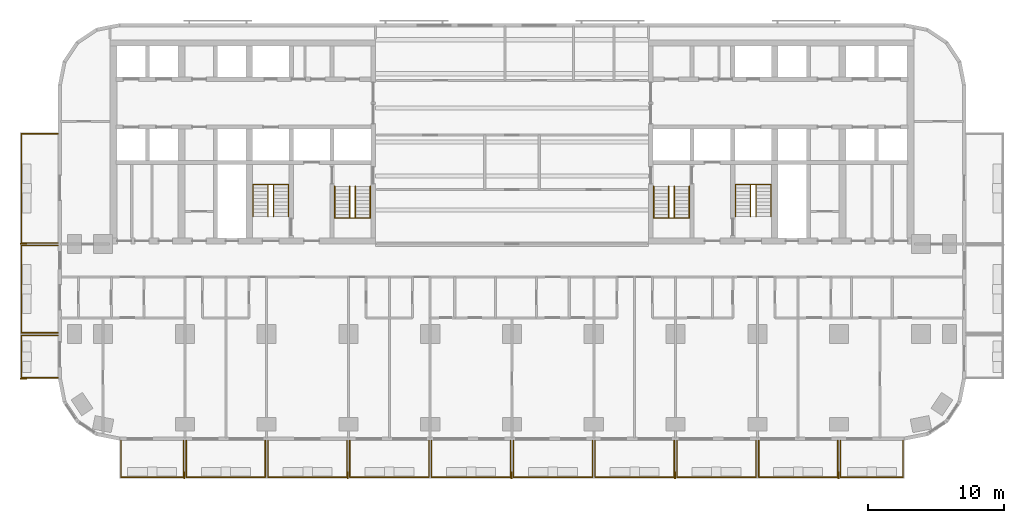
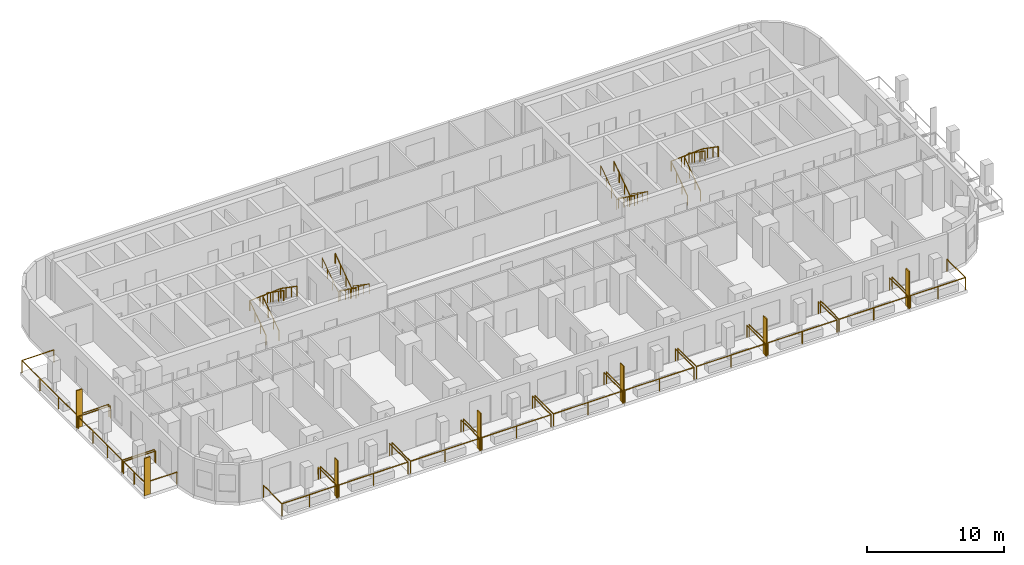
# One storey, part 13 of 15: 21 railings, 7 shading devices.
"""IFC4 building model written with IfcOpenShell, lengths in metres."""

import ifcopenshell
import ifcopenshell.guid

model = None  # the IFC model being written
_history = None  # IfcOwnerHistory: only IFC2X3 demands one
_inside = {}  # id of a spatial element -> (the spatial element, [elements in it])
_under = {}  # id of a project, library or spatial element -> (it, [spatial elements below it])
_declared = {}  # id of a project -> (the project, [libraries it declares])
_typed = {}  # id of a type object -> (the type object, [elements of that type])
_made_of = {}  # id of a material, layer set ... -> (it, [elements and type objects made of it])


def new_model(schema):
    """Start an empty IFC model of exactly this schema.

    Asked for "IFC4X3", IfcOpenShell would pick the latest addendum, in which some entities
    have other attributes; the version numbers below select the first issue.
    IFC2X3 requires an IfcOwnerHistory on every rooted entity: one is made here for all.
    """
    global model, _history
    if schema == "IFC4X3":
        model = ifcopenshell.file(schema_version=(4, 3, 0, 0))
    else:
        model = ifcopenshell.file(schema=schema)
    _inside.clear()
    _under.clear()
    _declared.clear()
    _typed.clear()
    _made_of.clear()
    _history = None
    if model.schema == "IFC2X3":
        org = make("IfcOrganization", Name="unknown")
        user = make(
            "IfcPersonAndOrganization",
            ThePerson=make("IfcPerson", FamilyName="unknown"),
            TheOrganization=org,
        )
        app = make(
            "IfcApplication",
            ApplicationDeveloper=org,
            Version="unknown",
            ApplicationFullName="unknown",
            ApplicationIdentifier="unknown",
        )
        _history = make(
            "IfcOwnerHistory",
            OwningUser=user,
            OwningApplication=app,
            ChangeAction="ADDED",
            CreationDate=0,
        )
    return model


def make(cls, **values):
    """One entity of the class cls with the attributes given. An attribute that is None is left unset."""
    return model.create_entity(
        cls, **{name: value for name, value in values.items() if value is not None}
    )


def rooted(cls, **values):
    """An entity with a GlobalId (a new one), such as an element, a storey or a relation."""
    return make(cls, GlobalId=ifcopenshell.guid.new(), OwnerHistory=_history, **values)


def si_unit(unit_type, name, prefix=None):
    """IfcSIUnit, for example si_unit("LENGTHUNIT", "METRE", prefix="MILLI")."""
    return make("IfcSIUnit", UnitType=unit_type, Prefix=prefix, Name=name)


def assignment(units):
    """IfcUnitAssignment: the units of a project."""
    return None if units is None else make("IfcUnitAssignment", Units=units)


def point(xyz):
    """IfcCartesianPoint."""
    return None if xyz is None else make("IfcCartesianPoint", Coordinates=xyz)


def direction(xyz):
    """IfcDirection."""
    return None if xyz is None else make("IfcDirection", DirectionRatios=xyz)


def frame(location, z_axis=None, x_axis=None):
    """IfcAxis2Placement3D, a coordinate frame: its origin and axes. An axis left out is left unset."""
    return make(
        "IfcAxis2Placement3D",
        Location=point(location),
        Axis=direction(z_axis),
        RefDirection=direction(x_axis),
    )


def frame_2d(location, x_axis=None):
    """IfcAxis2Placement2D, a coordinate frame in the plane: its origin and x axis."""
    return make(
        "IfcAxis2Placement2D", Location=point(location), RefDirection=direction(x_axis)
    )


def origin():
    """The frame at (0, 0, 0) with its axes left unset."""
    return frame((0.0, 0.0, 0.0))


def origin_2d():
    """The frame at (0, 0) in the plane with its x axis left unset."""
    return frame_2d((0.0, 0.0))


def place(relative_to, where):
    """IfcLocalPlacement: puts the frame where relative to a parent placement (None: the world)."""
    return make(
        "IfcLocalPlacement", PlacementRelTo=relative_to, RelativePlacement=where
    )


def context(
    kind, dimensions, precision=None, world=None, true_north=None, identifier=None
):
    """IfcGeometricRepresentationContext, for example the 3D "Model" context."""
    return make(
        "IfcGeometricRepresentationContext",
        ContextIdentifier=identifier,
        ContextType=kind,
        CoordinateSpaceDimension=dimensions,
        Precision=precision,
        WorldCoordinateSystem=world,
        TrueNorth=true_north,
    )


def subcontext(parent, identifier, kind, view, scale=None):
    """IfcGeometricRepresentationSubContext, for example "Body" below "Model"."""
    return make(
        "IfcGeometricRepresentationSubContext",
        ContextIdentifier=identifier,
        ContextType=kind,
        ParentContext=parent,
        TargetScale=scale,
        TargetView=view,
    )


def project(units=None, contexts=None):
    """IfcProject with its units and contexts."""
    return rooted(
        "IfcProject",
        Name="project",
        RepresentationContexts=contexts,
        UnitsInContext=assignment(units),
    )


def spatial(cls, under=None, at=None, **own):
    """A site, building, storey or space (cls), placed at a placement, below another one or the project."""
    s = rooted(cls, ObjectPlacement=at, **own)
    if under is not None:
        _under.setdefault(under.id(), (under, []))[1].append(s)
    return s


def profile(cls, at=None, kind="AREA", **sizes):
    """A parametric profile (cls). Its sizes go by their IFC names, for example OverallWidth=200.0."""
    return make(cls, ProfileType=kind, Position=at, **sizes)


def rectangle(**sizes):
    """IfcRectangleProfileDef."""
    return profile("IfcRectangleProfileDef", **sizes)


def circle(**sizes):
    """IfcCircleProfileDef."""
    return profile("IfcCircleProfileDef", **sizes)


def extrude(swept, where, along, depth):
    """IfcExtrudedAreaSolid: the profile swept, set in the frame where, extruded along a direction by depth."""
    return make(
        "IfcExtrudedAreaSolid",
        SweptArea=swept,
        Position=where,
        ExtrudedDirection=direction(along),
        Depth=depth,
    )


def shape(context_of_items, identifier, shape_type, items):
    """IfcShapeRepresentation: the items that make up one representation, for example the "Body"."""
    return make(
        "IfcShapeRepresentation",
        ContextOfItems=context_of_items,
        RepresentationIdentifier=identifier,
        RepresentationType=shape_type,
        Items=items,
    )


def material(Name=None, Category=None):
    """IfcMaterial."""
    return make("IfcMaterial", Name=Name, Category=Category)


def layer(
    of_material, thickness, ventilated=None, Name=None, Category=None, Priority=None
):
    """IfcMaterialLayer: one layer of a wall or slab, of a material (None: an air gap)."""
    return make(
        "IfcMaterialLayer",
        Material=of_material,
        LayerThickness=thickness,
        IsVentilated=ventilated,
        Name=Name,
        Category=Category,
        Priority=Priority,
    )


def layer_set(layers, Name=None):
    """IfcMaterialLayerSet."""
    return make("IfcMaterialLayerSet", MaterialLayers=layers, LayerSetName=Name)


def made_of(thing, what):
    """Note that an element or type object is made of a material, layer set ...; save() writes the relation."""
    if what is not None:
        _made_of.setdefault(what.id(), (what, []))[1].append(thing)
    return thing


def type_object(cls, material=None, **own):
    """A type object (cls), such as IfcWallType, which elements share."""
    return made_of(rooted(cls, **own), material)


def element(
    cls,
    number,
    at=None,
    inside=None,
    cuts=None,
    type_object=None,
    material=None,
    context=None,
    identifier="Body",
    shape_type=None,
    held_by="IfcProductDefinitionShape",
    body=None,
    shapes=None,
    **own,
):
    """One element of the class cls, such as IfcWall. Its Tag is "e" and its number.

    at: its placement. inside: the storey or other place that contains it. cuts: it is an
    opening in that element (IfcRelVoidsElement). A single representation is given by context,
    identifier, shape_type and body (its items); several are given by shapes. held_by: the class
    of the entity that holds the representations. save() writes the other relations.
    """
    e = rooted(cls, Tag="e%d" % number, ObjectPlacement=at, **own)
    if body is not None:
        shapes = [shape(context, identifier, shape_type, body)]
    if shapes is not None:
        e.Representation = make(held_by, Representations=shapes)
    if inside is not None:
        _inside.setdefault(inside.id(), (inside, []))[1].append(e)
    if cuts is not None:
        rooted(
            "IfcRelVoidsElement", RelatingBuildingElement=cuts, RelatedOpeningElement=e
        )
    if type_object is not None:
        _typed.setdefault(type_object.id(), (type_object, []))[1].append(e)
    return made_of(e, material)


def aggregate(whole, parts):
    """IfcRelAggregates: a whole, such as a stair, and the parts it consists of."""
    return rooted("IfcRelAggregates", RelatingObject=whole, RelatedObjects=parts)


def save(model, path):
    """Write the relations noted so far, then the file.

    IfcRelAggregates (storeys below a building ...), IfcRelContainedInSpatialStructure (elements
    in a storey), IfcRelDefinesByType, IfcRelAssociatesMaterial and IfcRelDeclares: one each for
    every whole, place, type object, material and project.
    """
    for whole, parts in _under.values():
        aggregate(whole, parts)
    for where, things in _inside.values():
        rooted(
            "IfcRelContainedInSpatialStructure",
            RelatedElements=things,
            RelatingStructure=where,
        )
    for kind, things in _typed.values():
        rooted("IfcRelDefinesByType", RelatedObjects=things, RelatingType=kind)
    for what, things in _made_of.values():
        rooted("IfcRelAssociatesMaterial", RelatedObjects=things, RelatingMaterial=what)
    for by, libraries in _declared.values():
        rooted("IfcRelDeclares", RelatingContext=by, RelatedDefinitions=libraries)
    model.write(path)


model = new_model("IFC4")

# Units and contexts
model_context = context("Model", 3, precision=1e-05, world=origin(), true_north=direction((0.0, 1.0)))
body_context = subcontext(model_context, "Body", "Model", "MODEL_VIEW")
ifc_project = project(units=[si_unit("LENGTHUNIT", "METRE"), si_unit("AREAUNIT", "SQUARE_METRE"), si_unit("VOLUMEUNIT", "CUBIC_METRE"), si_unit("PLANEANGLEUNIT", "RADIAN"), si_unit("MASSUNIT", "GRAM", prefix="KILO")], contexts=[model_context])

# Site, building, storey
site_placement = place(None, origin())
site = spatial("IfcSite", under=ifc_project, at=site_placement, CompositionType="ELEMENT")
building_placement = place(site_placement, origin())
building = spatial("IfcBuilding", under=site, at=building_placement, Name="Torana Hotel and Residences", CompositionType="ELEMENT")
storey_placement = place(building_placement, frame((0.0, 0.0, 45.60009765625)))
storey = spatial("IfcBuildingStorey", under=building, at=storey_placement, Name="L10", CompositionType="ELEMENT", Elevation=45.60009765625)

# Shading devices
ifc_material_1 = material(Name="Black powder coated aluminium", Category="aluminium")
ifc_layer = layer(ifc_material_1, 0.080078125)
ifc_layer_set = layer_set([ifc_layer], Name="FN1 VERTICAL FIN 500x80")
shading_device_type = type_object("IfcShadingDeviceType", Name="FN1 VERTICAL FIN 500x80", PredefinedType="USERDEFINED", material=ifc_layer_set)
for number, where, z_axis, x_axis, name in (
    (1, (-24.0400390625, -31.949951171875, 0.0), (0.0, 0.0, 1.0), (-1.0, 0.0, 0.0), "Fin 01"),
    (2, (-12.0400390625, -31.949951171875, 0.0), (0.0, 0.0, 1.0), (-1.0, 0.0, 0.0), "Fin 03"),
    (3, (-0.0400390625, -31.949951171875, 0.0), (0.0, 0.0, 1.0), (-1.0, 0.0, 0.0), "Fin 05"),
    (4, (11.9599609375, -31.949951171875, 0.0), (0.0, 0.0, 1.0), (-1.0, 0.0, 0.0), "Fin 07"),
    (5, (23.9599609375, -31.949951171875, 0.0), (0.0, 0.0, 1.0), (-1.0, 0.0, 0.0), "Fin 09"),
    (6, (-35.85009765625, -24.860107421875, 0.0), (0.0, 0.0, 1.0), (0.0, 1.0, 0.0), "Fin 11"),
    (7, (-35.85009765625, -14.9599609375, 0.0), (0.0, 0.0, 1.0), (0.0, 1.0, 0.0), "Fin 13"),
):
    element("IfcShadingDevice", number, at=place(storey_placement, frame(where, z_axis=z_axis, x_axis=x_axis)), inside=storey, type_object=shading_device_type, Name=name, ObjectType="FIN", PredefinedType="USERDEFINED", context=body_context, shape_type="SweptSolid", body=[
        extrude(rectangle(XDim=0.080078125, YDim=0.5, at=origin_2d()), origin(), (0.0, 0.0, 1.0), 3.320068359375),
    ])

# Railings
ifc_material_2 = material(Name="Laminated glass balustrade with black handrail", Category="glass")
railing_type_1 = type_object("IfcRailingType", Name="GR1 BALCONY GUARD 1100 GLASS", PredefinedType="GUARDRAIL", material=ifc_material_2)
railing_1_placement = place(storey_placement, frame((-24.10009765625, -29.39990234375, 0.0)))
element("IfcRailing", 8, at=railing_1_placement, inside=storey, type_object=railing_type_1, Name="Balcony guard 01", PredefinedType="GUARDRAIL", context=body_context, shape_type="SweptSolid", body=[
    extrude(circle(Radius=0.02392578125, at=origin_2d()), frame((0.0, 0.0, 1.076171875), z_axis=(0.0, -1.0, 0.0), x_axis=(1.0, 0.0, 0.0)), (0.0, 0.0, 1.0), 2.7001953125),
    extrude(circle(Radius=0.02392578125, at=origin_2d()), frame((0.0, -2.7001953125, 1.076171875), z_axis=(-1.0, 0.0, 0.0), x_axis=(0.0, -1.0, 0.0)), (0.0, 0.0, 1.0), 4.599853515625),
    extrude(circle(Radius=0.02392578125, at=origin_2d()), frame((-4.599853515625, -2.7001953125, 1.076171875), z_axis=(0.0, 1.0, 0.0), x_axis=(-1.0, 0.0, 0.0)), (0.0, 0.0, 1.0), 2.7001953125),
    extrude(circle(Radius=0.02099609375, at=origin_2d()), origin(), (0.0, 0.0, 1.0), 1.052001953125),
    extrude(circle(Radius=0.02099609375, at=origin_2d()), frame((0.0, -2.7001953125, 0.0)), (0.0, 0.0, 1.0), 1.052001953125),
    extrude(circle(Radius=0.02099609375, at=origin_2d()), frame((-2.2998046875, -2.7001953125, 0.0)), (0.0, 0.0, 1.0), 1.052001953125),
    extrude(circle(Radius=0.02099609375, at=origin_2d()), frame((-4.599853515625, -2.7001953125, 0.0)), (0.0, 0.0, 1.0), 1.052001953125),
    extrude(circle(Radius=0.02099609375, at=origin_2d()), frame((-4.599853515625, 0.0, 0.0)), (0.0, 0.0, 1.0), 1.052001953125),
])
for number, where, name in (
    (9, (-18.10009765625, -29.39990234375, 0.0), "Balcony guard 02"),
    (10, (-12.10009765625, -29.39990234375, 0.0), "Balcony guard 03"),
    (11, (-6.10009765625, -29.39990234375, 0.0), "Balcony guard 04"),
    (12, (-0.10009765625, -29.39990234375, 0.0), "Balcony guard 05"),
    (13, (5.89990234375, -29.39990234375, 0.0), "Balcony guard 06"),
    (14, (11.89990234375, -29.39990234375, 0.0), "Balcony guard 07"),
    (15, (17.89990234375, -29.39990234375, 0.0), "Balcony guard 08"),
    (16, (23.89990234375, -29.39990234375, 0.0), "Balcony guard 09"),
):
    element("IfcRailing", number, at=place(storey_placement, frame(where)), inside=storey, type_object=railing_type_1, Name=name, PredefinedType="GUARDRAIL", context=body_context, shape_type="SweptSolid", body=[
        extrude(circle(Radius=0.02392578125, at=origin_2d()), frame((0.0, 0.0, 1.076171875), z_axis=(0.0, -1.0, 0.0), x_axis=(1.0, 0.0, 0.0)), (0.0, 0.0, 1.0), 2.7001953125),
        extrude(circle(Radius=0.02392578125, at=origin_2d()), frame((0.0, -2.7001953125, 1.076171875), z_axis=(-1.0, 0.0, 0.0), x_axis=(0.0, -1.0, 0.0)), (0.0, 0.0, 1.0), 5.7998046875),
        extrude(circle(Radius=0.02392578125, at=origin_2d()), frame((-5.7998046875, -2.7001953125, 1.076171875), z_axis=(0.0, 1.0, 0.0), x_axis=(-1.0, 0.0, 0.0)), (0.0, 0.0, 1.0), 2.7001953125),
        extrude(circle(Radius=0.02099609375, at=origin_2d()), origin(), (0.0, 0.0, 1.0), 1.052001953125),
        extrude(circle(Radius=0.02099609375, at=origin_2d()), frame((0.0, -2.7001953125, 0.0)), (0.0, 0.0, 1.0), 1.052001953125),
        extrude(circle(Radius=0.02099609375, at=origin_2d()), frame((-2.89990234375, -2.7001953125, 0.0)), (0.0, 0.0, 1.0), 1.052001953125),
        extrude(circle(Radius=0.02099609375, at=origin_2d()), frame((-5.7998046875, -2.7001953125, 0.0)), (0.0, 0.0, 1.0), 1.052001953125),
        extrude(circle(Radius=0.02099609375, at=origin_2d()), frame((-5.7998046875, 0.0, 0.0)), (0.0, 0.0, 1.0), 1.052001953125),
    ])
railing_2_placement = place(storey_placement, frame((28.699951171875, -29.39990234375, 0.0)))
element("IfcRailing", 17, at=railing_2_placement, inside=storey, type_object=railing_type_1, Name="Balcony guard 10", PredefinedType="GUARDRAIL", context=body_context, shape_type="SweptSolid", body=[
    extrude(circle(Radius=0.02392578125, at=origin_2d()), frame((0.0, 0.0, 1.076171875), z_axis=(0.0, -1.0, 0.0), x_axis=(1.0, 0.0, 0.0)), (0.0, 0.0, 1.0), 2.7001953125),
    extrude(circle(Radius=0.02392578125, at=origin_2d()), frame((0.0, -2.7001953125, 1.076171875), z_axis=(-1.0, 0.0, 0.0), x_axis=(0.0, -1.0, 0.0)), (0.0, 0.0, 1.0), 4.599853515625),
    extrude(circle(Radius=0.02392578125, at=origin_2d()), frame((-4.599853515625, -2.7001953125, 1.076171875), z_axis=(0.0, 1.0, 0.0), x_axis=(-1.0, 0.0, 0.0)), (0.0, 0.0, 1.0), 2.7001953125),
    extrude(circle(Radius=0.02099609375, at=origin_2d()), origin(), (0.0, 0.0, 1.0), 1.052001953125),
    extrude(circle(Radius=0.02099609375, at=origin_2d()), frame((0.0, -2.7001953125, 0.0)), (0.0, 0.0, 1.0), 1.052001953125),
    extrude(circle(Radius=0.02099609375, at=origin_2d()), frame((-2.2998046875, -2.7001953125, 0.0)), (0.0, 0.0, 1.0), 1.052001953125),
    extrude(circle(Radius=0.02099609375, at=origin_2d()), frame((-4.599853515625, -2.7001953125, 0.0)), (0.0, 0.0, 1.0), 1.052001953125),
    extrude(circle(Radius=0.02099609375, at=origin_2d()), frame((-4.599853515625, 0.0, 0.0)), (0.0, 0.0, 1.0), 1.052001953125),
])
railing_3_placement = place(storey_placement, frame((-33.300048828125, -24.800048828125, 0.0)))
element("IfcRailing", 18, at=railing_3_placement, inside=storey, type_object=railing_type_1, Name="Balcony guard 11", PredefinedType="GUARDRAIL", context=body_context, shape_type="SweptSolid", body=[
    extrude(circle(Radius=0.02392578125, at=origin_2d()), frame((0.0, 0.0, 1.076171875), z_axis=(-1.0, 0.0, 0.0), x_axis=(0.0, -1.0, 0.0)), (0.0, 0.0, 1.0), 2.699951171875),
    extrude(circle(Radius=0.02392578125, at=origin_2d()), frame((-2.699951171875, 0.0, 1.076171875), z_axis=(0.0, 1.0, 0.0), x_axis=(-1.0, 0.0, 0.0)), (0.0, 0.0, 1.0), 3.10009765625),
    extrude(circle(Radius=0.02392578125, at=origin_2d()), frame((-2.699951171875, 3.10009765625, 1.076171875), z_axis=(1.0, 0.0, 0.0), x_axis=(0.0, 1.0, 0.0)), (0.0, 0.0, 1.0), 2.699951171875),
    extrude(circle(Radius=0.02099609375, at=origin_2d()), origin(), (0.0, 0.0, 1.0), 1.052001953125),
    extrude(circle(Radius=0.02099609375, at=origin_2d()), frame((-2.699951171875, 0.0, 0.0)), (0.0, 0.0, 1.0), 1.052001953125),
    extrude(circle(Radius=0.02099609375, at=origin_2d()), frame((-2.699951171875, 1.550048828125, 0.0)), (0.0, 0.0, 1.0), 1.052001953125),
    extrude(circle(Radius=0.02099609375, at=origin_2d()), frame((-2.699951171875, 3.10009765625, 0.0)), (0.0, 0.0, 1.0), 1.052001953125),
    extrude(circle(Radius=0.02099609375, at=origin_2d()), frame((0.0, 3.10009765625, 0.0)), (0.0, 0.0, 1.0), 1.052001953125),
])
railing_4_placement = place(storey_placement, frame((-33.300048828125, -21.5, 0.0)))
element("IfcRailing", 19, at=railing_4_placement, inside=storey, type_object=railing_type_1, Name="Balcony guard 12", PredefinedType="GUARDRAIL", context=body_context, shape_type="SweptSolid", body=[
    extrude(circle(Radius=0.02392578125, at=origin_2d()), frame((0.0, 0.0, 1.076171875), z_axis=(-1.0, 0.0, 0.0), x_axis=(0.0, -1.0, 0.0)), (0.0, 0.0, 1.0), 2.699951171875),
    extrude(circle(Radius=0.02392578125, at=origin_2d()), frame((-2.699951171875, 0.0, 1.076171875), z_axis=(0.0, 1.0, 0.0), x_axis=(-1.0, 0.0, 0.0)), (0.0, 0.0, 1.0), 6.39990234375),
    extrude(circle(Radius=0.02392578125, at=origin_2d()), frame((-2.699951171875, 6.39990234375, 1.076171875), z_axis=(1.0, 0.0, 0.0), x_axis=(0.0, 1.0, 0.0)), (0.0, 0.0, 1.0), 2.699951171875),
    extrude(circle(Radius=0.02099609375, at=origin_2d()), origin(), (0.0, 0.0, 1.0), 1.052001953125),
    extrude(circle(Radius=0.02099609375, at=origin_2d()), frame((-2.699951171875, 0.0, 0.0)), (0.0, 0.0, 1.0), 1.052001953125),
    extrude(circle(Radius=0.02099609375, at=origin_2d()), frame((-2.699951171875, 2.13330078125, 0.0)), (0.0, 0.0, 1.0), 1.052001953125),
    extrude(circle(Radius=0.02099609375, at=origin_2d()), frame((-2.699951171875, 4.2666015625, 0.0)), (0.0, 0.0, 1.0), 1.052001953125),
    extrude(circle(Radius=0.02099609375, at=origin_2d()), frame((-2.699951171875, 6.39990234375, 0.0)), (0.0, 0.0, 1.0), 1.052001953125),
    extrude(circle(Radius=0.02099609375, at=origin_2d()), frame((0.0, 6.39990234375, 0.0)), (0.0, 0.0, 1.0), 1.052001953125),
])
railing_5_placement = place(storey_placement, frame((-33.300048828125, -14.89990234375, 0.0)))
element("IfcRailing", 20, at=railing_5_placement, inside=storey, type_object=railing_type_1, Name="Balcony guard 13", PredefinedType="GUARDRAIL", context=body_context, shape_type="SweptSolid", body=[
    extrude(circle(Radius=0.02392578125, at=origin_2d()), frame((0.0, 0.0, 1.076171875), z_axis=(-1.0, 0.0, 0.0), x_axis=(0.0, -1.0, 0.0)), (0.0, 0.0, 1.0), 2.699951171875),
    extrude(circle(Radius=0.02392578125, at=origin_2d()), frame((-2.699951171875, 0.0, 1.076171875), z_axis=(0.0, 1.0, 0.0), x_axis=(-1.0, 0.0, 0.0)), (0.0, 0.0, 1.0), 8.0),
    extrude(circle(Radius=0.02392578125, at=origin_2d()), frame((-2.699951171875, 8.0, 1.076171875), z_axis=(1.0, 0.0, 0.0), x_axis=(0.0, 1.0, 0.0)), (0.0, 0.0, 1.0), 2.699951171875),
    extrude(circle(Radius=0.02099609375, at=origin_2d()), origin(), (0.0, 0.0, 1.0), 1.052001953125),
    extrude(circle(Radius=0.02099609375, at=origin_2d()), frame((-2.699951171875, 0.0, 0.0)), (0.0, 0.0, 1.0), 1.052001953125),
    extrude(circle(Radius=0.02099609375, at=origin_2d()), frame((-2.699951171875, 2.666748046875, 0.0)), (0.0, 0.0, 1.0), 1.052001953125),
    extrude(circle(Radius=0.02099609375, at=origin_2d()), frame((-2.699951171875, 5.333251953125, 0.0)), (0.0, 0.0, 1.0), 1.052001953125),
    extrude(circle(Radius=0.02099609375, at=origin_2d()), frame((-2.699951171875, 8.0, 0.0)), (0.0, 0.0, 1.0), 1.052001953125),
    extrude(circle(Radius=0.02099609375, at=origin_2d()), frame((0.0, 8.0, 0.0)), (0.0, 0.0, 1.0), 1.052001953125),
])
ifc_material_3 = material(Name="Stainless steel 316", Category="steel")
railing_type_2 = type_object("IfcRailingType", Name="STAIR HANDRAIL HR1 900", PredefinedType="HANDRAIL", material=ifc_material_3)
railing_6_placement = place(storey_placement, frame((-10.39990234375, -10.75, 0.179931640625)))
element("IfcRailing", 21, at=railing_6_placement, inside=storey, type_object=railing_type_2, Name="Handrail ST1 L10 O1", PredefinedType="HANDRAIL", context=body_context, shape_type="SweptSolid", body=[
    extrude(circle(Radius=0.02392578125, at=origin_2d()), frame((0.0, 0.0, 0.8759765625), z_axis=(0.0, -0.822223072051, 0.569165371211), x_axis=(1.0, 0.0, 0.0)), (0.0, 0.0, 1.0), 2.845947265625),
    extrude(circle(Radius=0.02392578125, at=origin_2d()), frame((0.0, -2.340087890625, 2.49560546875), z_axis=(-0.997607660209, 0.0, 0.069129995609), x_axis=(0.0, -1.0, 0.0)), (0.0, 0.0, 1.0), 2.6064453125),
    extrude(circle(Radius=0.02392578125, at=origin_2d()), frame((-2.60009765625, -2.340087890625, 2.67578125), z_axis=(0.0, 0.822223072051, 0.569165371211), x_axis=(-1.0, 0.0, 0.0)), (0.0, 0.0, 1.0), 2.845947265625),
    extrude(circle(Radius=0.02099609375, at=origin_2d()), origin(), (0.0, 0.0, 1.0), 0.851806640625),
    extrude(circle(Radius=0.02099609375, at=origin_2d()), frame((0.0, -0.780029296875, 0.5400390625)), (0.0, 0.0, 1.0), 0.851806640625),
    extrude(circle(Radius=0.02099609375, at=origin_2d()), frame((0.0, -1.56005859375, 1.079833984375)), (0.0, 0.0, 1.0), 0.851806640625),
    extrude(circle(Radius=0.02099609375, at=origin_2d()), frame((0.0, -2.340087890625, 1.619873046875)), (0.0, 0.0, 1.0), 0.851806640625),
    extrude(circle(Radius=0.02099609375, at=origin_2d()), frame((-0.86669921875, -2.340087890625, 1.679931640625)), (0.0, 0.0, 1.0), 0.851806640625),
    extrude(circle(Radius=0.02099609375, at=origin_2d()), frame((-1.7333984375, -2.340087890625, 1.739990234375)), (0.0, 0.0, 1.0), 0.851806640625),
    extrude(circle(Radius=0.02099609375, at=origin_2d()), frame((-2.60009765625, -2.340087890625, 1.800048828125)), (0.0, 0.0, 1.0), 0.851806640625),
    extrude(circle(Radius=0.02099609375, at=origin_2d()), frame((-2.60009765625, -1.56005859375, 2.340087890625)), (0.0, 0.0, 1.0), 0.851806640625),
    extrude(circle(Radius=0.02099609375, at=origin_2d()), frame((-2.60009765625, -0.780029296875, 2.8798828125)), (0.0, 0.0, 1.0), 0.851806640625),
    extrude(circle(Radius=0.02099609375, at=origin_2d()), frame((-2.60009765625, 0.0, 3.419921875)), (0.0, 0.0, 1.0), 0.851806640625),
])
railing_7_placement = place(storey_placement, frame((-11.5, -10.75, 0.179931640625)))
element("IfcRailing", 22, at=railing_7_placement, inside=storey, type_object=railing_type_2, Name="Handrail ST1 L10 I1", PredefinedType="HANDRAIL", context=body_context, shape_type="SweptSolid", body=[
    extrude(circle(Radius=0.02392578125, at=origin_2d()), frame((0.0, 0.0, 0.8759765625), z_axis=(0.0, -0.822223072051, 0.569165371211), x_axis=(1.0, 0.0, 0.0)), (0.0, 0.0, 1.0), 2.845947265625),
    extrude(circle(Radius=0.02392578125, at=origin_2d()), frame((0.0, -2.340087890625, 2.49560546875), z_axis=(-0.911733943306, 0.0, 0.410781227204), x_axis=(0.0, -1.0, 0.0)), (0.0, 0.0, 1.0), 0.438720703125),
    extrude(circle(Radius=0.02392578125, at=origin_2d()), frame((-0.39990234375, -2.340087890625, 2.67578125), z_axis=(0.0, 0.822223072051, 0.569165371211), x_axis=(-1.0, 0.0, 0.0)), (0.0, 0.0, 1.0), 2.845947265625),
    extrude(circle(Radius=0.02099609375, at=origin_2d()), origin(), (0.0, 0.0, 1.0), 0.851806640625),
    extrude(circle(Radius=0.02099609375, at=origin_2d()), frame((0.0, -0.780029296875, 0.5400390625)), (0.0, 0.0, 1.0), 0.851806640625),
    extrude(circle(Radius=0.02099609375, at=origin_2d()), frame((0.0, -1.56005859375, 1.079833984375)), (0.0, 0.0, 1.0), 0.851806640625),
    extrude(circle(Radius=0.02099609375, at=origin_2d()), frame((0.0, -2.340087890625, 1.619873046875)), (0.0, 0.0, 1.0), 0.851806640625),
    extrude(circle(Radius=0.02099609375, at=origin_2d()), frame((-0.39990234375, -2.340087890625, 1.800048828125)), (0.0, 0.0, 1.0), 0.851806640625),
    extrude(circle(Radius=0.02099609375, at=origin_2d()), frame((-0.39990234375, -1.56005859375, 2.340087890625)), (0.0, 0.0, 1.0), 0.851806640625),
    extrude(circle(Radius=0.02099609375, at=origin_2d()), frame((-0.39990234375, -0.780029296875, 2.8798828125)), (0.0, 0.0, 1.0), 0.851806640625),
    extrude(circle(Radius=0.02099609375, at=origin_2d()), frame((-0.39990234375, 0.0, 3.419921875)), (0.0, 0.0, 1.0), 0.851806640625),
])
railing_8_placement = place(storey_placement, frame((-19.0, -12.949951171875, 0.179931640625)))
element("IfcRailing", 23, at=railing_8_placement, inside=storey, type_object=railing_type_2, Name="Handrail ST2 L10 O1", PredefinedType="HANDRAIL", context=body_context, shape_type="SweptSolid", body=[
    extrude(circle(Radius=0.02392578125, at=origin_2d()), frame((0.0, 0.0, 0.8759765625), z_axis=(0.0, 0.822195280011, 0.569205517829), x_axis=(-1.0, 0.0, 0.0)), (0.0, 0.0, 1.0), 2.845947265625),
    extrude(circle(Radius=0.02392578125, at=origin_2d()), frame((0.0, 2.33984375, 2.49560546875), z_axis=(0.997607660209, 0.0, 0.069129995609), x_axis=(0.0, 1.0, 0.0)), (0.0, 0.0, 1.0), 2.6064453125),
    extrude(circle(Radius=0.02392578125, at=origin_2d()), frame((2.60009765625, 2.33984375, 2.67578125), z_axis=(0.0, -0.822195280011, 0.569205517829), x_axis=(1.0, 0.0, 0.0)), (0.0, 0.0, 1.0), 2.845947265625),
    extrude(circle(Radius=0.02099609375, at=origin_2d()), origin(), (0.0, 0.0, 1.0), 0.851806640625),
    extrude(circle(Radius=0.02099609375, at=origin_2d()), frame((0.0, 0.780029296875, 0.5400390625)), (0.0, 0.0, 1.0), 0.851806640625),
    extrude(circle(Radius=0.02099609375, at=origin_2d()), frame((0.0, 1.559814453125, 1.079833984375)), (0.0, 0.0, 1.0), 0.851806640625),
    extrude(circle(Radius=0.02099609375, at=origin_2d()), frame((0.0, 2.33984375, 1.619873046875)), (0.0, 0.0, 1.0), 0.851806640625),
    extrude(circle(Radius=0.02099609375, at=origin_2d()), frame((0.86669921875, 2.33984375, 1.679931640625)), (0.0, 0.0, 1.0), 0.851806640625),
    extrude(circle(Radius=0.02099609375, at=origin_2d()), frame((1.7333984375, 2.33984375, 1.739990234375)), (0.0, 0.0, 1.0), 0.851806640625),
    extrude(circle(Radius=0.02099609375, at=origin_2d()), frame((2.60009765625, 2.33984375, 1.800048828125)), (0.0, 0.0, 1.0), 0.851806640625),
    extrude(circle(Radius=0.02099609375, at=origin_2d()), frame((2.60009765625, 1.559814453125, 2.340087890625)), (0.0, 0.0, 1.0), 0.851806640625),
    extrude(circle(Radius=0.02099609375, at=origin_2d()), frame((2.60009765625, 0.780029296875, 2.8798828125)), (0.0, 0.0, 1.0), 0.851806640625),
    extrude(circle(Radius=0.02099609375, at=origin_2d()), frame((2.60009765625, 0.0, 3.419921875)), (0.0, 0.0, 1.0), 0.851806640625),
])
railing_9_placement = place(storey_placement, frame((-17.89990234375, -12.949951171875, 0.179931640625)))
element("IfcRailing", 24, at=railing_9_placement, inside=storey, type_object=railing_type_2, Name="Handrail ST2 L10 I1", PredefinedType="HANDRAIL", context=body_context, shape_type="SweptSolid", body=[
    extrude(circle(Radius=0.02392578125, at=origin_2d()), frame((0.0, 0.0, 0.8759765625), z_axis=(0.0, 0.822195280011, 0.569205517829), x_axis=(-1.0, 0.0, 0.0)), (0.0, 0.0, 1.0), 2.845947265625),
    extrude(circle(Radius=0.02392578125, at=origin_2d()), frame((0.0, 2.33984375, 2.49560546875), z_axis=(0.911733943306, 0.0, 0.410781227204), x_axis=(0.0, 1.0, 0.0)), (0.0, 0.0, 1.0), 0.438720703125),
    extrude(circle(Radius=0.02392578125, at=origin_2d()), frame((0.39990234375, 2.33984375, 2.67578125), z_axis=(0.0, -0.822195280011, 0.569205517829), x_axis=(1.0, 0.0, 0.0)), (0.0, 0.0, 1.0), 2.845947265625),
    extrude(circle(Radius=0.02099609375, at=origin_2d()), origin(), (0.0, 0.0, 1.0), 0.851806640625),
    extrude(circle(Radius=0.02099609375, at=origin_2d()), frame((0.0, 0.780029296875, 0.5400390625)), (0.0, 0.0, 1.0), 0.851806640625),
    extrude(circle(Radius=0.02099609375, at=origin_2d()), frame((0.0, 1.559814453125, 1.079833984375)), (0.0, 0.0, 1.0), 0.851806640625),
    extrude(circle(Radius=0.02099609375, at=origin_2d()), frame((0.0, 2.33984375, 1.619873046875)), (0.0, 0.0, 1.0), 0.851806640625),
    extrude(circle(Radius=0.02099609375, at=origin_2d()), frame((0.39990234375, 2.33984375, 1.800048828125)), (0.0, 0.0, 1.0), 0.851806640625),
    extrude(circle(Radius=0.02099609375, at=origin_2d()), frame((0.39990234375, 1.559814453125, 2.340087890625)), (0.0, 0.0, 1.0), 0.851806640625),
    extrude(circle(Radius=0.02099609375, at=origin_2d()), frame((0.39990234375, 0.780029296875, 2.8798828125)), (0.0, 0.0, 1.0), 0.851806640625),
    extrude(circle(Radius=0.02099609375, at=origin_2d()), frame((0.39990234375, 0.0, 3.419921875)), (0.0, 0.0, 1.0), 0.851806640625),
])
railing_10_placement = place(storey_placement, frame((13.0, -10.75, 0.179931640625)))
element("IfcRailing", 25, at=railing_10_placement, inside=storey, type_object=railing_type_2, Name="Handrail ST3 L10 O1", PredefinedType="HANDRAIL", context=body_context, shape_type="SweptSolid", body=[
    extrude(circle(Radius=0.02392578125, at=origin_2d()), frame((0.0, 0.0, 0.8759765625), z_axis=(0.0, -0.822223072051, 0.569165371211), x_axis=(1.0, 0.0, 0.0)), (0.0, 0.0, 1.0), 2.845947265625),
    extrude(circle(Radius=0.02392578125, at=origin_2d()), frame((0.0, -2.340087890625, 2.49560546875), z_axis=(-0.997607660209, 0.0, 0.069129995609), x_axis=(0.0, -1.0, 0.0)), (0.0, 0.0, 1.0), 2.6064453125),
    extrude(circle(Radius=0.02392578125, at=origin_2d()), frame((-2.60009765625, -2.340087890625, 2.67578125), z_axis=(0.0, 0.822223072051, 0.569165371211), x_axis=(-1.0, 0.0, 0.0)), (0.0, 0.0, 1.0), 2.845947265625),
    extrude(circle(Radius=0.02099609375, at=origin_2d()), origin(), (0.0, 0.0, 1.0), 0.851806640625),
    extrude(circle(Radius=0.02099609375, at=origin_2d()), frame((0.0, -0.780029296875, 0.5400390625)), (0.0, 0.0, 1.0), 0.851806640625),
    extrude(circle(Radius=0.02099609375, at=origin_2d()), frame((0.0, -1.56005859375, 1.079833984375)), (0.0, 0.0, 1.0), 0.851806640625),
    extrude(circle(Radius=0.02099609375, at=origin_2d()), frame((0.0, -2.340087890625, 1.619873046875)), (0.0, 0.0, 1.0), 0.851806640625),
    extrude(circle(Radius=0.02099609375, at=origin_2d()), frame((-0.86669921875, -2.340087890625, 1.679931640625)), (0.0, 0.0, 1.0), 0.851806640625),
    extrude(circle(Radius=0.02099609375, at=origin_2d()), frame((-1.7333984375, -2.340087890625, 1.739990234375)), (0.0, 0.0, 1.0), 0.851806640625),
    extrude(circle(Radius=0.02099609375, at=origin_2d()), frame((-2.60009765625, -2.340087890625, 1.800048828125)), (0.0, 0.0, 1.0), 0.851806640625),
    extrude(circle(Radius=0.02099609375, at=origin_2d()), frame((-2.60009765625, -1.56005859375, 2.340087890625)), (0.0, 0.0, 1.0), 0.851806640625),
    extrude(circle(Radius=0.02099609375, at=origin_2d()), frame((-2.60009765625, -0.780029296875, 2.8798828125)), (0.0, 0.0, 1.0), 0.851806640625),
    extrude(circle(Radius=0.02099609375, at=origin_2d()), frame((-2.60009765625, 0.0, 3.419921875)), (0.0, 0.0, 1.0), 0.851806640625),
])
railing_11_placement = place(storey_placement, frame((11.89990234375, -10.75, 0.179931640625)))
element("IfcRailing", 26, at=railing_11_placement, inside=storey, type_object=railing_type_2, Name="Handrail ST3 L10 I1", PredefinedType="HANDRAIL", context=body_context, shape_type="SweptSolid", body=[
    extrude(circle(Radius=0.02392578125, at=origin_2d()), frame((0.0, 0.0, 0.8759765625), z_axis=(0.0, -0.822223072051, 0.569165371211), x_axis=(1.0, 0.0, 0.0)), (0.0, 0.0, 1.0), 2.845947265625),
    extrude(circle(Radius=0.02392578125, at=origin_2d()), frame((0.0, -2.340087890625, 2.49560546875), z_axis=(-0.911733943306, 0.0, 0.410781227204), x_axis=(0.0, -1.0, 0.0)), (0.0, 0.0, 1.0), 0.438720703125),
    extrude(circle(Radius=0.02392578125, at=origin_2d()), frame((-0.39990234375, -2.340087890625, 2.67578125), z_axis=(0.0, 0.822223072051, 0.569165371211), x_axis=(-1.0, 0.0, 0.0)), (0.0, 0.0, 1.0), 2.845947265625),
    extrude(circle(Radius=0.02099609375, at=origin_2d()), origin(), (0.0, 0.0, 1.0), 0.851806640625),
    extrude(circle(Radius=0.02099609375, at=origin_2d()), frame((0.0, -0.780029296875, 0.5400390625)), (0.0, 0.0, 1.0), 0.851806640625),
    extrude(circle(Radius=0.02099609375, at=origin_2d()), frame((0.0, -1.56005859375, 1.079833984375)), (0.0, 0.0, 1.0), 0.851806640625),
    extrude(circle(Radius=0.02099609375, at=origin_2d()), frame((0.0, -2.340087890625, 1.619873046875)), (0.0, 0.0, 1.0), 0.851806640625),
    extrude(circle(Radius=0.02099609375, at=origin_2d()), frame((-0.39990234375, -2.340087890625, 1.800048828125)), (0.0, 0.0, 1.0), 0.851806640625),
    extrude(circle(Radius=0.02099609375, at=origin_2d()), frame((-0.39990234375, -1.56005859375, 2.340087890625)), (0.0, 0.0, 1.0), 0.851806640625),
    extrude(circle(Radius=0.02099609375, at=origin_2d()), frame((-0.39990234375, -0.780029296875, 2.8798828125)), (0.0, 0.0, 1.0), 0.851806640625),
    extrude(circle(Radius=0.02099609375, at=origin_2d()), frame((-0.39990234375, 0.0, 3.419921875)), (0.0, 0.0, 1.0), 0.851806640625),
])
railing_12_placement = place(storey_placement, frame((16.39990234375, -12.949951171875, 0.179931640625)))
element("IfcRailing", 27, at=railing_12_placement, inside=storey, type_object=railing_type_2, Name="Handrail ST4 L10 O1", PredefinedType="HANDRAIL", context=body_context, shape_type="SweptSolid", body=[
    extrude(circle(Radius=0.02392578125, at=origin_2d()), frame((0.0, 0.0, 0.8759765625), z_axis=(0.0, 0.822195280011, 0.569205517829), x_axis=(-1.0, 0.0, 0.0)), (0.0, 0.0, 1.0), 2.845947265625),
    extrude(circle(Radius=0.02392578125, at=origin_2d()), frame((0.0, 2.33984375, 2.49560546875), z_axis=(0.997607660209, 0.0, 0.069129995609), x_axis=(0.0, 1.0, 0.0)), (0.0, 0.0, 1.0), 2.6064453125),
    extrude(circle(Radius=0.02392578125, at=origin_2d()), frame((2.60009765625, 2.33984375, 2.67578125), z_axis=(0.0, -0.822195280011, 0.569205517829), x_axis=(1.0, 0.0, 0.0)), (0.0, 0.0, 1.0), 2.845947265625),
    extrude(circle(Radius=0.02099609375, at=origin_2d()), origin(), (0.0, 0.0, 1.0), 0.851806640625),
    extrude(circle(Radius=0.02099609375, at=origin_2d()), frame((0.0, 0.780029296875, 0.5400390625)), (0.0, 0.0, 1.0), 0.851806640625),
    extrude(circle(Radius=0.02099609375, at=origin_2d()), frame((0.0, 1.559814453125, 1.079833984375)), (0.0, 0.0, 1.0), 0.851806640625),
    extrude(circle(Radius=0.02099609375, at=origin_2d()), frame((0.0, 2.33984375, 1.619873046875)), (0.0, 0.0, 1.0), 0.851806640625),
    extrude(circle(Radius=0.02099609375, at=origin_2d()), frame((0.86669921875, 2.33984375, 1.679931640625)), (0.0, 0.0, 1.0), 0.851806640625),
    extrude(circle(Radius=0.02099609375, at=origin_2d()), frame((1.7333984375, 2.33984375, 1.739990234375)), (0.0, 0.0, 1.0), 0.851806640625),
    extrude(circle(Radius=0.02099609375, at=origin_2d()), frame((2.60009765625, 2.33984375, 1.800048828125)), (0.0, 0.0, 1.0), 0.851806640625),
    extrude(circle(Radius=0.02099609375, at=origin_2d()), frame((2.60009765625, 1.559814453125, 2.340087890625)), (0.0, 0.0, 1.0), 0.851806640625),
    extrude(circle(Radius=0.02099609375, at=origin_2d()), frame((2.60009765625, 0.780029296875, 2.8798828125)), (0.0, 0.0, 1.0), 0.851806640625),
    extrude(circle(Radius=0.02099609375, at=origin_2d()), frame((2.60009765625, 0.0, 3.419921875)), (0.0, 0.0, 1.0), 0.851806640625),
])
railing_13_placement = place(storey_placement, frame((17.5, -12.949951171875, 0.179931640625)))
element("IfcRailing", 28, at=railing_13_placement, inside=storey, type_object=railing_type_2, Name="Handrail ST4 L10 I1", PredefinedType="HANDRAIL", context=body_context, shape_type="SweptSolid", body=[
    extrude(circle(Radius=0.02392578125, at=origin_2d()), frame((0.0, 0.0, 0.8759765625), z_axis=(0.0, 0.822195280011, 0.569205517829), x_axis=(-1.0, 0.0, 0.0)), (0.0, 0.0, 1.0), 2.845947265625),
    extrude(circle(Radius=0.02392578125, at=origin_2d()), frame((0.0, 2.33984375, 2.49560546875), z_axis=(0.911733943306, 0.0, 0.410781227204), x_axis=(0.0, 1.0, 0.0)), (0.0, 0.0, 1.0), 0.438720703125),
    extrude(circle(Radius=0.02392578125, at=origin_2d()), frame((0.39990234375, 2.33984375, 2.67578125), z_axis=(0.0, -0.822195280011, 0.569205517829), x_axis=(1.0, 0.0, 0.0)), (0.0, 0.0, 1.0), 2.845947265625),
    extrude(circle(Radius=0.02099609375, at=origin_2d()), origin(), (0.0, 0.0, 1.0), 0.851806640625),
    extrude(circle(Radius=0.02099609375, at=origin_2d()), frame((0.0, 0.780029296875, 0.5400390625)), (0.0, 0.0, 1.0), 0.851806640625),
    extrude(circle(Radius=0.02099609375, at=origin_2d()), frame((0.0, 1.559814453125, 1.079833984375)), (0.0, 0.0, 1.0), 0.851806640625),
    extrude(circle(Radius=0.02099609375, at=origin_2d()), frame((0.0, 2.33984375, 1.619873046875)), (0.0, 0.0, 1.0), 0.851806640625),
    extrude(circle(Radius=0.02099609375, at=origin_2d()), frame((0.39990234375, 2.33984375, 1.800048828125)), (0.0, 0.0, 1.0), 0.851806640625),
    extrude(circle(Radius=0.02099609375, at=origin_2d()), frame((0.39990234375, 1.559814453125, 2.340087890625)), (0.0, 0.0, 1.0), 0.851806640625),
    extrude(circle(Radius=0.02099609375, at=origin_2d()), frame((0.39990234375, 0.780029296875, 2.8798828125)), (0.0, 0.0, 1.0), 0.851806640625),
    extrude(circle(Radius=0.02099609375, at=origin_2d()), frame((0.39990234375, 0.0, 3.419921875)), (0.0, 0.0, 1.0), 0.851806640625),
])

save(model, "model.ifc")
